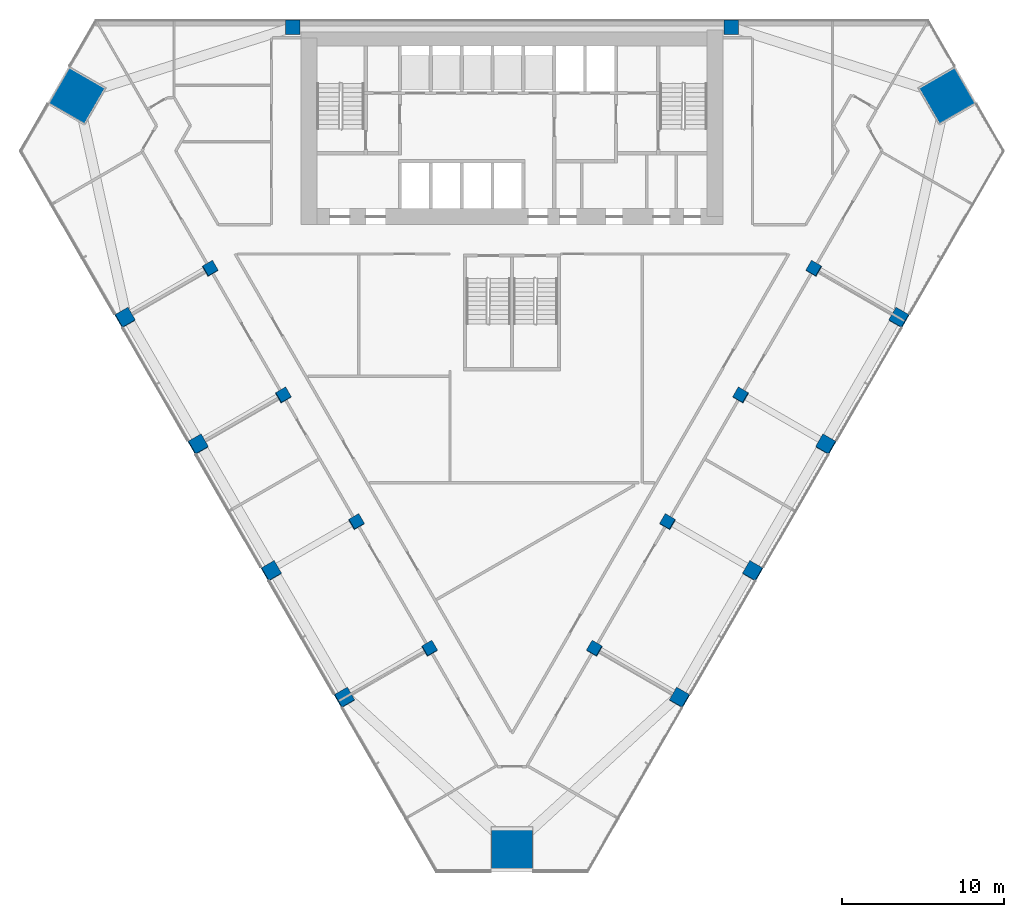
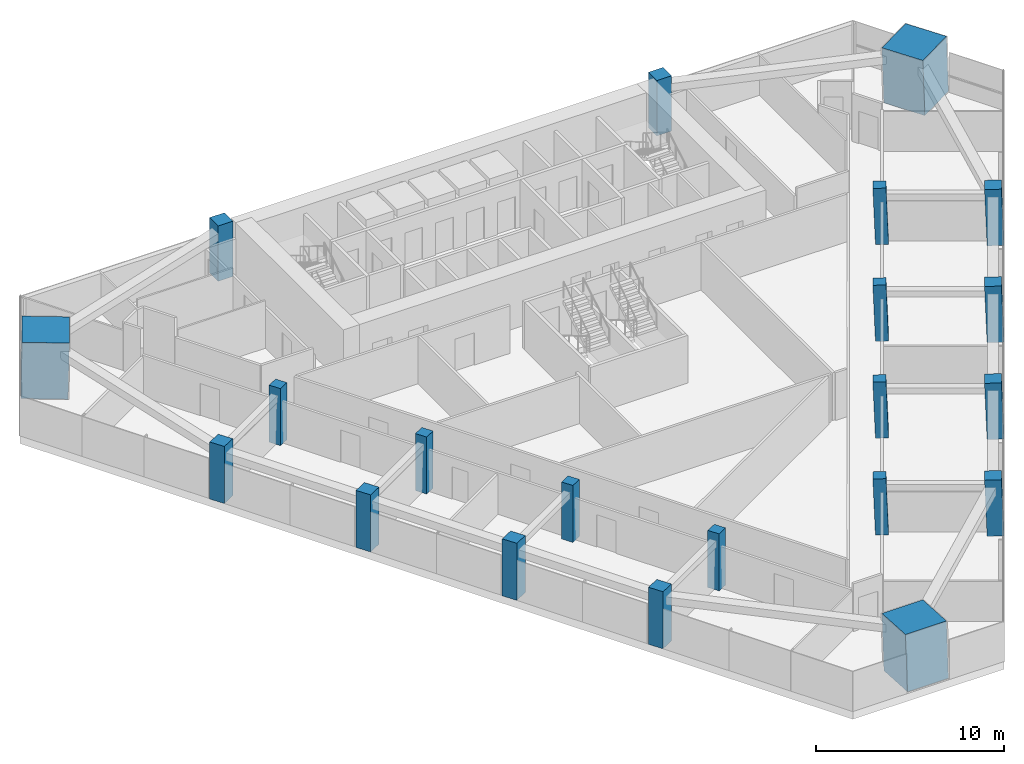
# One storey, part 1 of 13: 21 columns.
"""IFC4 building model written with IfcOpenShell, lengths in metres."""

from ifc_helpers import new_model, si_unit, direction, frame, origin, origin_2d, place, context, subcontext, project, spatial, rectangle, extrude, material, material_profile, profile_set, type_object, element, save


model = new_model("IFC4")

# Units and contexts
model_context = context("Model", 3, precision=1e-05, world=origin(), true_north=direction((0.0, 1.0)))
body_context = subcontext(model_context, "Body", "Model", "MODEL_VIEW")
ifc_project = project(units=[si_unit("LENGTHUNIT", "METRE"), si_unit("AREAUNIT", "SQUARE_METRE"), si_unit("VOLUMEUNIT", "CUBIC_METRE"), si_unit("PLANEANGLEUNIT", "RADIAN"), si_unit("MASSUNIT", "GRAM", prefix="KILO")], contexts=[model_context])

# Site, building, storey
site_placement = place(None, origin())
site = spatial("IfcSite", under=ifc_project, at=site_placement, CompositionType="ELEMENT")
building_placement = place(site_placement, origin())
building = spatial("IfcBuilding", under=site, at=building_placement, Name="Altiplano Prism Tower", CompositionType="ELEMENT")
storey_placement = place(building_placement, frame((0.0, 0.0, 59.39990234375)))
storey = spatial("IfcBuildingStorey", under=building, at=storey_placement, Name="L14", CompositionType="ELEMENT", Elevation=59.39990234375)

# Columns
ifc_material_1 = material(Name="Concrete C60/75", Category="concrete")
ifc_material_profile_1 = material_profile(ifc_material_1, rectangle(XDim=0.699951171875, YDim=0.699951171875, at=origin_2d()), Name="Inner column 700")
ifc_profile_set_1 = profile_set([ifc_material_profile_1], Name="Concrete C60/75")
column_type_1 = type_object("IfcColumnType", Name="Inner column 700", PredefinedType="COLUMN", material=ifc_profile_set_1)
for number, where, z_axis, x_axis, name in (
    (1, (66.412109375, 89.6875, -0.021240234375), (0.02215369191, 0.038413282303, 0.999016333038), (-0.86536468805, -0.499669077686, 0.038402727522), "Inner column I11 L14"),
    (2, (70.912109375, 81.893310546875, -0.021240234375), (0.02215369191, 0.038413282303, 0.999016333038), (-0.865360441332, -0.499676417947, 0.03840291559), "Inner column I12 L14"),
    (3, (75.412109375, 74.098876953125, -0.021240234375), (0.022153634206, 0.038480930364, 0.999013730882), (-0.864979720065, -0.500331296023, 0.038453583657), "Inner column I13 L14"),
    (4, (79.912109375, 66.3046875, -0.021240234375), (0.022153634206, 0.038480930364, 0.999013730882), (-0.864978162625, -0.500333983237, 0.038453652628), "Inner column I14 L14"),
    (5, (90.087890625, 66.3046875, -0.021240234375), (-0.022153634206, 0.038480930364, 0.999013730882), (-0.50132025161, -0.864976949529, 0.022200948397), "Inner column I21 L14"),
    (6, (94.587890625, 74.098876953125, -0.021240234375), (-0.022153634206, 0.038480930364, 0.999013730882), (-0.501317564392, -0.864978503905, 0.02220106786), "Inner column I22 L14"),
    (7, (99.087890625, 81.893310546875, -0.021240234375), (-0.02215369191, 0.038413282303, 0.999016333038), (-0.500660084801, -0.865359981216, 0.022171657508), "Inner column I23 L14"),
    (8, (103.587890625, 89.6875, -0.021240234375), (-0.02215369191, 0.038413282303, 0.999016333038), (-0.500657396395, -0.86536153355, 0.022171776814), "Inner column I24 L14"),
):
    element("IfcColumn", number, at=place(storey_placement, frame(where, z_axis=z_axis, x_axis=x_axis)), inside=storey, type_object=column_type_1, Name=name, PredefinedType="COLUMN", context=body_context, shape_type="SweptSolid", body=[
        extrude(rectangle(XDim=0.699951171875, YDim=0.699951171875, at=origin_2d()), origin(), (0.0, 0.0, 1.0), 3.603759765625),
    ])
ifc_material_2 = material(Name="Concrete C70/85", Category="concrete")
ifc_material_profile_2 = material_profile(ifc_material_2, rectangle(XDim=2.52001953125, YDim=2.52001953125, at=origin_2d()), Name="Mega column infill 2600")
ifc_profile_set_2 = profile_set([ifc_material_profile_2], Name="Concrete C70/85")
column_type_2 = type_object("IfcColumnType", Name="Mega column infill 2600", PredefinedType="COLUMN", material=ifc_profile_set_2)
column_1_placement = place(storey_placement, frame((58.173095703125, 100.31982421875, 0.0), z_axis=(0.028401796786, 0.009286506348, 0.999553449666), x_axis=(-0.866201881135, 0.49929484702, 0.019973904391)))
element("IfcColumn", 9, at=column_1_placement, inside=storey, type_object=column_type_2, Name="Mega column M0 L14", PredefinedType="COLUMN", context=body_context, shape_type="SweptSolid", body=[
    extrude(rectangle(XDim=2.52001953125, YDim=2.52001953125, at=origin_2d()), origin(), (0.0, 0.0, 1.0), 3.601806640625),
])
column_2_placement = place(storey_placement, frame((85.0, 53.854248046875, 0.0), z_axis=(0.0, 0.058356907999, 0.998295783467), x_axis=(-1.0, 0.0, 0.0)))
element("IfcColumn", 10, at=column_2_placement, inside=storey, type_object=column_type_2, Name="Mega column M1 L14", PredefinedType="COLUMN", context=body_context, shape_type="SweptSolid", body=[
    extrude(rectangle(XDim=2.52001953125, YDim=2.52001953125, at=origin_2d()), origin(), (0.0, 0.0, 1.0), 3.606201171875),
])
column_3_placement = place(storey_placement, frame((111.826904296875, 100.31982421875, 0.0), z_axis=(-0.028401796786, 0.009286506348, 0.999553449666), x_axis=(0.498886398949, -0.86638237317, 0.022224860049)))
element("IfcColumn", 11, at=column_3_placement, inside=storey, type_object=column_type_2, Name="Mega column M2 L14", PredefinedType="COLUMN", context=body_context, shape_type="SweptSolid", body=[
    extrude(rectangle(XDim=2.52001953125, YDim=2.52001953125, at=origin_2d()), origin(), (0.0, 0.0, 1.0), 3.601806640625),
])
ifc_material_profile_3 = material_profile(ifc_material_1, rectangle(XDim=0.89990234375, YDim=0.89990234375, at=origin_2d()), Name="Perimeter column 900")
ifc_profile_set_3 = profile_set([ifc_material_profile_3], Name="Concrete C60/75")
column_type_3 = type_object("IfcColumnType", Name="Perimeter column 900", PredefinedType="COLUMN", material=ifc_profile_set_3)
for number, where, z_axis, x_axis, name in (
    (12, (98.5, 104.550048828125, 0.0), (0.0, 0.0, 1.0), (1.0, 0.0, 0.0), "Perimeter column P01 L14"),
    (13, (71.5, 104.550048828125, 0.0), (0.0, 0.0, 1.0), (1.0, 0.0, 0.0), "Perimeter column P04 L14"),
):
    element("IfcColumn", number, at=place(storey_placement, frame(where, z_axis=z_axis, x_axis=x_axis)), inside=storey, type_object=column_type_3, Name=name, PredefinedType="COLUMN", context=body_context, shape_type="SweptSolid", body=[
        extrude(rectangle(XDim=0.89990234375, YDim=0.89990234375, at=origin_2d()), origin(), (0.0, 0.0, 1.0), 3.60009765625),
    ])
for number, where, z_axis, x_axis, name in (
    (14, (61.17236328125, 86.662109375, -0.027099609375), (0.022222852987, 0.038483477124, 0.999012095419), (-0.865639360837, -0.499186706709, 0.038485436403), "Perimeter column P11 L14"),
    (15, (65.67236328125, 78.867919921875, -0.027099609375), (0.022222852987, 0.038483477124, 0.999012095419), (-0.865637806947, -0.499189395977, 0.038485505432), "Perimeter column P12 L14"),
    (16, (70.17236328125, 71.07373046875, -0.027099609375), (0.022222852987, 0.038483477124, 0.999012095419), (-0.865639343377, -0.499186736926, 0.038485437179), "Perimeter column P13 L14"),
    (17, (74.67236328125, 63.279541015625, -0.027099609375), (0.022222910879, 0.038415824599, 0.999014697916), (-0.866019761802, -0.498530378111, 0.038434805443), "Perimeter column P14 L14"),
    (18, (95.32763671875, 63.279541015625, -0.027099609375), (-0.022222910879, 0.038415824599, 0.999014697916), (-0.499515679835, -0.866020603982, 0.022190067106), "Perimeter column P21 L14"),
    (19, (99.82763671875, 71.07373046875, -0.027099609375), (-0.022222852987, 0.038483477124, 0.999012095419), (-0.500174641503, -0.865639430517, 0.022219458401), "Perimeter column P22 L14"),
    (20, (104.32763671875, 78.867919921875, -0.027099609375), (-0.022222852987, 0.038483477124, 0.999012095419), (-0.500177300554, -0.865637897121, 0.022219340182), "Perimeter column P23 L14"),
    (21, (108.82763671875, 86.662109375, -0.027099609375), (-0.022222852987, 0.038483477124, 0.999012095419), (-0.500174611287, -0.865639447942, 0.022219459744), "Perimeter column P24 L14"),
):
    element("IfcColumn", number, at=place(storey_placement, frame(where, z_axis=z_axis, x_axis=x_axis)), inside=storey, type_object=column_type_3, Name=name, PredefinedType="COLUMN", context=body_context, shape_type="SweptSolid", body=[
        extrude(rectangle(XDim=0.89990234375, YDim=0.89990234375, at=origin_2d()), origin(), (0.0, 0.0, 1.0), 3.603515625),
    ])

save(model, "model.ifc")
